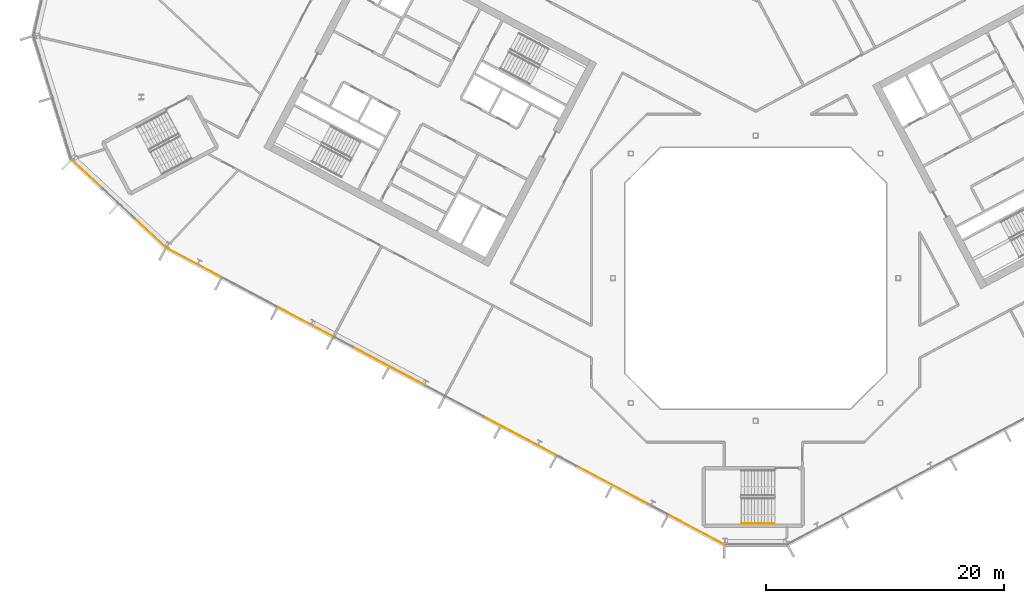
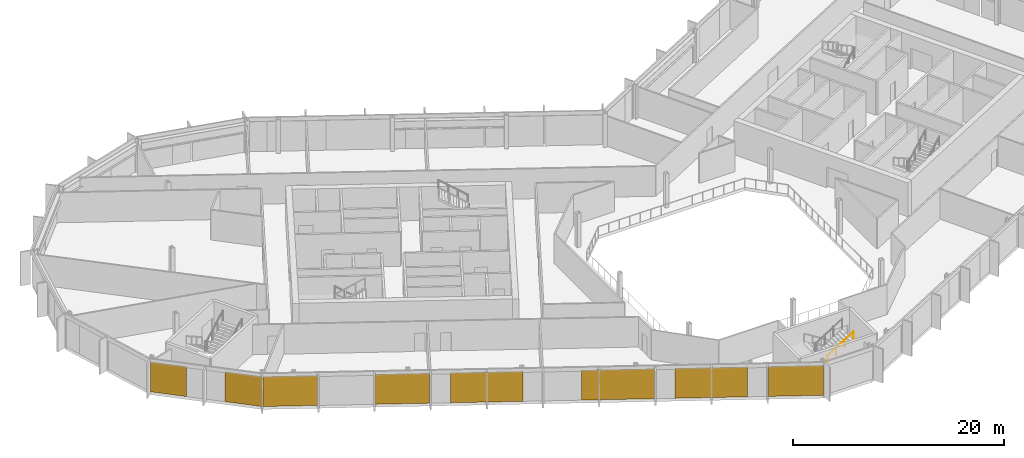
# One storey, part 18 of 26: 8 coverings, 1 railing, 2 elements without a shape of their own.
"""IFC4 building model written with IfcOpenShell, lengths in metres."""

from ifc_helpers import new_model, si_unit, direction, frame, origin, origin_2d, place, context, subcontext, project, spatial, polyline, rectangle, outline, extrude, material, layer, layer_set, type_object, element, aggregate, save


model = new_model("IFC4")

# Units and contexts
model_context = context("Model", 3, precision=1e-05, world=origin(), true_north=direction((0.0, 1.0)))
body_context = subcontext(model_context, "Body", "Model", "MODEL_VIEW")
ifc_project = project(units=[si_unit("LENGTHUNIT", "METRE"), si_unit("AREAUNIT", "SQUARE_METRE"), si_unit("VOLUMEUNIT", "CUBIC_METRE"), si_unit("PLANEANGLEUNIT", "RADIAN"), si_unit("MASSUNIT", "GRAM", prefix="KILO")], contexts=[model_context])

# Site, building, storey
site_placement = place(None, origin())
site = spatial("IfcSite", under=ifc_project, at=site_placement, CompositionType="ELEMENT")
building_placement = place(site_placement, origin())
building = spatial("IfcBuilding", under=site, at=building_placement, Name="Cormorant Relay Tower", CompositionType="ELEMENT")
storey_placement = place(building_placement, frame((0.0, 0.0, 248.10009765625)))
storey = spatial("IfcBuildingStorey", under=building, at=storey_placement, Name="L55", CompositionType="ELEMENT", Elevation=248.10009765625)

# Curtain wall, coverings
ifc_material_1 = material(Name="Aluminium 6063-T6 anodised bronze", Category="aluminium")
ifc_layer_1 = layer(ifc_material_1, 0.199951171875)
ifc_layer_set_1 = layer_set([ifc_layer_1], Name="CW1 unitised bronze curtain wall with vertical fins")
curtain_wall_type = type_object("IfcCurtainWallType", Name="CW1 unitised bronze curtain wall with vertical fins", PredefinedType="NOTDEFINED", material=ifc_layer_set_1)
curtain_wall_1_placement = place(storey_placement, origin())
curtain_wall_1 = element("IfcCurtainWall", 1, at=curtain_wall_1_placement, inside=storey, type_object=curtain_wall_type, Name="CW1 curtain wall 15", PredefinedType="NOTDEFINED")
ifc_material_2 = material(Name="Pale bronze anodised aluminium insulated panel", Category="aluminium")
ifc_layer_2 = layer(ifc_material_2, 0.0400390625)
ifc_layer_set_2 = layer_set([ifc_layer_2], Name="CW1 pale bronze insulated panel 40")
covering_type = type_object("IfcCoveringType", Name="CW1 pale bronze insulated panel 40", PredefinedType="CLADDING", material=ifc_layer_set_2)
covering_1_placement = place(storey_placement, frame((-56.22607421875, 8.74365234375, 0.0), z_axis=(0.0, 0.0, 1.0), x_axis=(0.731353701619, -0.681998360062, 0.0)))
covering_1 = element("IfcCovering", 2, at=covering_1_placement, type_object=covering_type, Name="CW1 panel S00", PredefinedType="CLADDING", context=body_context, shape_type="SweptSolid", body=[
    extrude(rectangle(XDim=3.485107421875, YDim=0.0400390625, at=origin_2d()), origin(), (0.0, 0.0, 1.0), 3.449951171875),
])
covering_2_placement = place(storey_placement, frame((-50.906982421875, 3.78369140625, 0.0), z_axis=(0.0, 0.0, 1.0), x_axis=(0.731353701619, -0.681998360062, 0.0)))
covering_2 = element("IfcCovering", 3, at=covering_2_placement, type_object=covering_type, Name="CW1 panel S03", PredefinedType="CLADDING", context=body_context, shape_type="SweptSolid", body=[
    extrude(rectangle(XDim=3.560302734375, YDim=0.0400390625, at=origin_2d()), origin(), (0.0, 0.0, 1.0), 3.449951171875),
])
aggregate(curtain_wall_1, [covering_1, covering_2])

curtain_wall_2_placement = place(storey_placement, origin())
curtain_wall_2 = element("IfcCurtainWall", 4, at=curtain_wall_2_placement, inside=storey, type_object=curtain_wall_type, Name="CW1 curtain wall 16", PredefinedType="NOTDEFINED")
covering_3_placement = place(storey_placement, frame((-47.25390625, 1.318603515625, 0.0), z_axis=(0.0, 0.0, 1.0), x_axis=(0.882947592859, -0.469471562786, 0.0)))
covering_3 = element("IfcCovering", 5, at=covering_3_placement, type_object=covering_type, Name="CW1 panel S00", PredefinedType="CLADDING", context=body_context, shape_type="SweptSolid", body=[
    extrude(rectangle(XDim=5.16650390625, YDim=0.0400390625, at=origin_2d()), origin(), (0.0, 0.0, 1.0), 3.449951171875),
])
covering_4_placement = place(storey_placement, frame((-37.865234375, -3.67333984375, 0.0), z_axis=(0.0, 0.0, 1.0), x_axis=(0.882947592859, -0.469471562786, 0.0)))
covering_4 = element("IfcCovering", 6, at=covering_4_placement, type_object=covering_type, Name="CW1 panel S02", PredefinedType="CLADDING", context=body_context, shape_type="SweptSolid", body=[
    extrude(rectangle(XDim=5.16650390625, YDim=0.0400390625, at=origin_2d()), origin(), (0.0, 0.0, 1.0), 3.449951171875),
])
covering_5_placement = place(storey_placement, frame((-30.823974609375, -7.417236328125, 0.0), z_axis=(0.0, 0.0, 1.0), x_axis=(0.882947592859, -0.469471562786, 0.0)))
covering_5 = element("IfcCovering", 7, at=covering_5_placement, type_object=covering_type, Name="CW1 panel S04", PredefinedType="CLADDING", context=body_context, shape_type="SweptSolid", body=[
    extrude(rectangle(XDim=6.88330078125, YDim=0.0400390625, at=origin_2d()), origin(), (0.0, 0.0, 1.0), 3.449951171875),
])
covering_6_placement = place(storey_placement, frame((-19.845947265625, -13.25439453125, 0.0), z_axis=(0.0, 0.0, 1.0), x_axis=(0.882947592859, -0.469471562786, 0.0)))
covering_6 = element("IfcCovering", 8, at=covering_6_placement, type_object=covering_type, Name="CW1 panel S07", PredefinedType="CLADDING", context=body_context, shape_type="SweptSolid", body=[
    extrude(rectangle(XDim=6.88330078125, YDim=0.0400390625, at=origin_2d()), origin(), (0.0, 0.0, 1.0), 3.449951171875),
])
covering_7_placement = place(storey_placement, frame((-12.046875, -17.401123046875, 0.0), z_axis=(0.0, 0.0, 1.0), x_axis=(0.882947592859, -0.469471562786, 0.0)))
covering_7 = element("IfcCovering", 9, at=covering_7_placement, type_object=covering_type, Name="CW1 panel S09", PredefinedType="CLADDING", context=body_context, shape_type="SweptSolid", body=[
    extrude(rectangle(XDim=6.88330078125, YDim=0.0400390625, at=origin_2d()), origin(), (0.0, 0.0, 1.0), 3.449951171875),
])
covering_8_placement = place(storey_placement, frame((-4.972412109375, -21.162841796875, 0.0), z_axis=(0.0, 0.0, 1.0), x_axis=(0.882947592859, -0.469471562786, 0.0)))
covering_8 = element("IfcCovering", 10, at=covering_8_placement, type_object=covering_type, Name="CW1 panel S11", PredefinedType="CLADDING", context=body_context, shape_type="SweptSolid", body=[
    extrude(rectangle(XDim=5.24169921875, YDim=0.0400390625, at=origin_2d()), origin(), (0.0, 0.0, 1.0), 3.449951171875),
])
aggregate(curtain_wall_2, [covering_3, covering_4, covering_5, covering_6, covering_7, covering_8])

# Railing
ifc_material_3 = material(Name="Steel ASTM A572 Grade 50 (Fy 345 MPa)", Category="steel")
railing_type = type_object("IfcRailingType", Name="Stair handrail 900", PredefinedType="HANDRAIL", material=ifc_material_3)
railing_placement = place(storey_placement, frame((-1.199951171875, -20.625, 2.127197265625)))
element("IfcRailing", 11, at=railing_placement, inside=storey, type_object=railing_type, Name="L55 RK1 stair handrail 2", PredefinedType="HANDRAIL", context=body_context, shape_type="SweptSolid", body=[
    extrude(outline(polyline([(0.022216796875, 0.00927734375), (0.00927734375, 0.022216796875), (-0.00927734375, 0.022216796875), (-0.022216796875, 0.00927734375), (-0.022216796875, -0.00927734375), (-0.00927734375, -0.022216796875), (0.00927734375, -0.022216796875), (0.022216796875, -0.00927734375), (0.022216796875, 0.00927734375)])), frame((0.0, 0.0, 0.8759765625), z_axis=(0.844908973607, 0.0, 0.534910110503), x_axis=(0.0, 1.0, 0.0)), (0.0, 0.0, 1.0), 3.31396484375),
    extrude(outline(polyline([(0.019287109375, 0.008056640625), (0.008056640625, 0.019287109375), (-0.008056640625, 0.019287109375), (-0.019287109375, 0.008056640625), (-0.019287109375, -0.008056640625), (-0.008056640625, -0.019287109375), (0.008056640625, -0.019287109375), (0.019287109375, -0.008056640625), (0.019287109375, 0.008056640625)])), origin(), (0.0, 0.0, 1.0), 0.851806640625),
    extrude(outline(polyline([(0.019287109375, 0.008056640625), (0.008056640625, 0.019287109375), (-0.008056640625, 0.019287109375), (-0.019287109375, 0.008056640625), (-0.019287109375, -0.008056640625), (-0.008056640625, -0.019287109375), (0.008056640625, -0.019287109375), (0.019287109375, -0.008056640625), (0.019287109375, 0.008056640625)])), frame((0.933349609375, 0.0, 0.5908203125)), (0.0, 0.0, 1.0), 0.851806640625),
    extrude(outline(polyline([(0.019287109375, 0.008056640625), (0.008056640625, 0.019287109375), (-0.008056640625, 0.019287109375), (-0.019287109375, 0.008056640625), (-0.019287109375, -0.008056640625), (-0.008056640625, -0.019287109375), (0.008056640625, -0.019287109375), (0.019287109375, -0.008056640625), (0.019287109375, 0.008056640625)])), frame((1.86669921875, 0.0, 1.181884765625)), (0.0, 0.0, 1.0), 0.851806640625),
    extrude(outline(polyline([(0.019287109375, 0.008056640625), (0.008056640625, 0.019287109375), (-0.008056640625, 0.019287109375), (-0.019287109375, 0.008056640625), (-0.019287109375, -0.008056640625), (-0.008056640625, -0.019287109375), (0.008056640625, -0.019287109375), (0.019287109375, -0.008056640625), (0.019287109375, 0.008056640625)])), frame((2.800048828125, 0.0, 1.772705078125)), (0.0, 0.0, 1.0), 0.851806640625),
])

save(model, "model.ifc")
